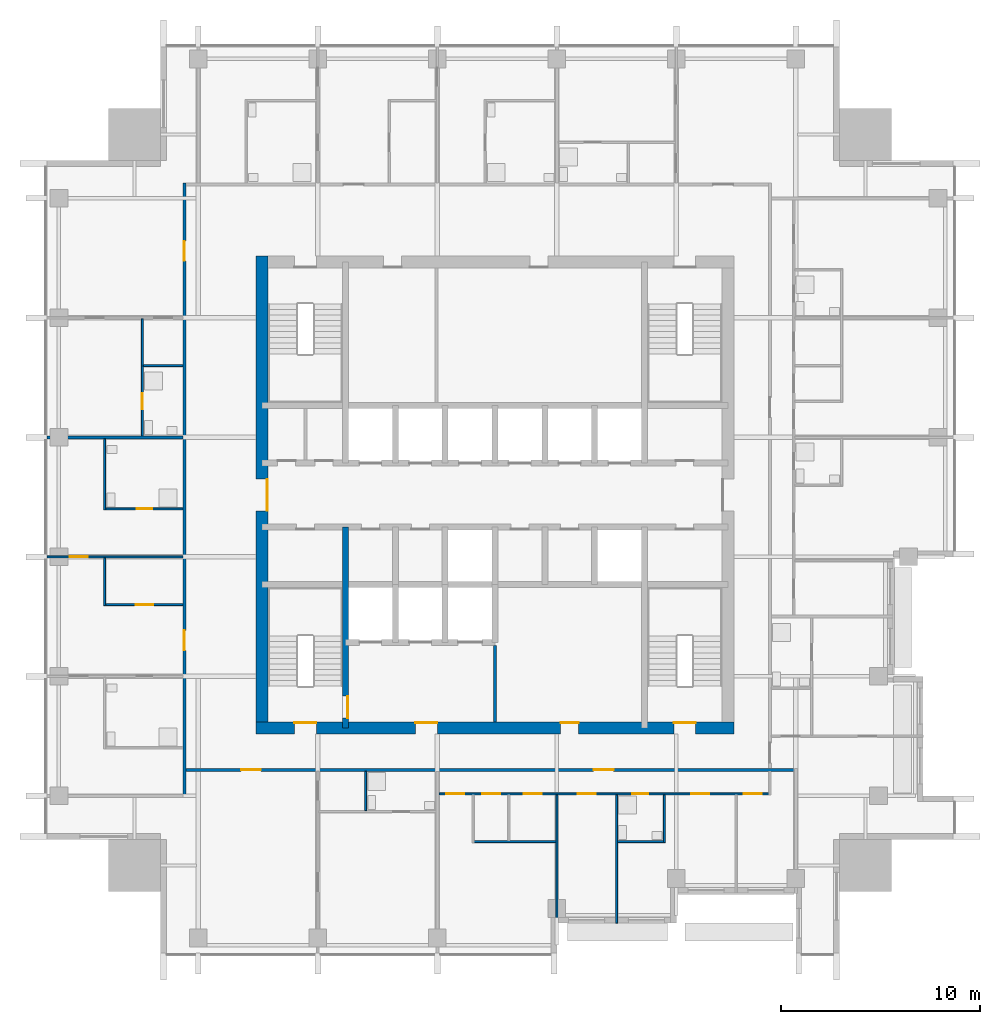
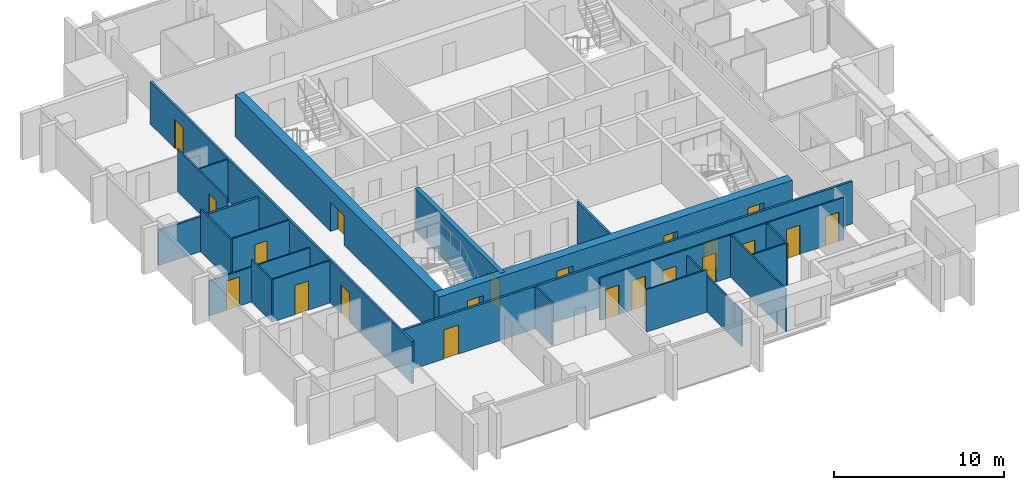
# One storey, part 4 of 10: 21 doors, 21 walls, 21 openings.
"""IFC4 building model written with IfcOpenShell, lengths in metres."""

from ifc_helpers import new_model, si_unit, direction, frame, frame_2d, origin, place, context, subcontext, project, spatial, rectangle, extrude, material, layer, layer_set, type_object, element, fill, save


model = new_model("IFC4")

# Units and contexts
model_context = context("Model", 3, precision=1e-05, world=origin(), true_north=direction((0.0, 1.0)))
body_context = subcontext(model_context, "Body", "Model", "MODEL_VIEW")
ifc_project = project(units=[si_unit("LENGTHUNIT", "METRE"), si_unit("AREAUNIT", "SQUARE_METRE"), si_unit("VOLUMEUNIT", "CUBIC_METRE"), si_unit("PLANEANGLEUNIT", "RADIAN"), si_unit("MASSUNIT", "GRAM", prefix="KILO")], contexts=[model_context])

# Site, building, storey
site_placement = place(None, origin())
site = spatial("IfcSite", under=ifc_project, at=site_placement, CompositionType="ELEMENT")
building_placement = place(site_placement, origin())
building = spatial("IfcBuilding", under=site, at=building_placement, Name="Amberfall Residences", CompositionType="ELEMENT")
storey_placement = place(building_placement, frame((0.0, 0.0, 203.5)))
storey = spatial("IfcBuildingStorey", under=building, at=storey_placement, Name="L54", CompositionType="ELEMENT", Elevation=203.5)

# Wall, opening, door
ifc_material_1 = material(Name="Concrete C55", Category="concrete")
ifc_layer_1 = layer(ifc_material_1, 0.300048828125)
ifc_layer_set_1 = layer_set([ifc_layer_1], Name="Core wall 300 C55")
wall_type_1 = type_object("IfcWallType", Name="Core wall 300 C55", PredefinedType="SHEAR", material=ifc_layer_set_1)
wall_1_placement = place(storey_placement, frame((67.0, 33.800048828125, 0.0), z_axis=(0.0, 0.0, 1.0), x_axis=(0.0, 1.0, 0.0)))
wall_1 = element("IfcWall", 1, at=wall_1_placement, inside=storey, type_object=wall_type_1, Name="Core wall RW8 L54 V45S", PredefinedType="SHEAR", context=body_context, shape_type="SweptSolid", body=[
    extrude(rectangle(XDim=10.099853515625, YDim=0.300048828125, at=frame_2d((5.0498046875, 0.0))), origin(), (0.0, 0.0, 1.0), 3.050048828125),
])
opening_1_placement = place(wall_1_placement, frame((0.5, 0.0, 0.0)))
opening_1 = element("IfcOpeningElement", 2, at=opening_1_placement, cuts=wall_1, Name="Opening FL1", PredefinedType="OPENING", context=body_context, shape_type="SweptSolid", body=[
    extrude(rectangle(XDim=1.10009765625, YDim=2.10009765625, at=frame_2d((0.550048828125, 1.050048828125))), frame((0.0, 0.159912109375, 0.0), z_axis=(0.0, -1.0, 0.0), x_axis=(1.0, 0.0, 0.0)), (0.0, 0.0, 1.0), 0.320068359375),
])
ifc_material_2 = material(Name="Steel fire door set", Category="steel")
door_type_1 = type_object("IfcDoorType", Name="Firefighting lobby door 1100 x 2100", OperationType="SINGLE_SWING_LEFT", PredefinedType="DOOR", material=ifc_material_2)
door_1_placement = place(opening_1_placement, origin())
door_1 = element("IfcDoor", 3, at=door_1_placement, inside=storey, type_object=door_type_1, Name="FL1 L54", OperationType="SINGLE_SWING_RIGHT", OverallHeight=2.10009765625, OverallWidth=1.10009765625, PredefinedType="DOOR", context=body_context, shape_type="SweptSolid", body=[
    extrude(rectangle(XDim=1.10009765625, YDim=2.10009765625, at=frame_2d((0.550048828125, 1.050048828125))), frame((0.0, -0.08740234375, 0.0), z_axis=(0.0, -1.0, 0.0), x_axis=(1.0, 0.0, 0.0)), (0.0, 0.0, 1.0), 0.050048828125),
])
fill(opening_1, door_1)

# Wall, openings, doors
ifc_layer_2 = layer(ifc_material_1, 0.60009765625)
ifc_layer_set_2 = layer_set([ifc_layer_2], Name="Core wall 600 C55")
wall_type_2 = type_object("IfcWallType", Name="Core wall 600 C55", PredefinedType="SHEAR", material=ifc_layer_set_2)
wall_2_placement = place(storey_placement, frame((62.5, 33.800048828125, 0.0), z_axis=(0.0, 0.0, 1.0), x_axis=(1.0, 0.0, 0.0)))
wall_2 = element("IfcWall", 4, at=wall_2_placement, inside=storey, type_object=wall_type_2, Name="Core wall RW7 L54 OS", PredefinedType="SHEAR", context=body_context, shape_type="SweptSolid", body=[
    extrude(rectangle(XDim=24.0, YDim=0.60009765625, at=frame_2d((12.0, 0.0))), origin(), (0.0, 0.0, 1.0), 3.050048828125),
])
opening_2_placement = place(wall_2_placement, frame((1.925048828125, 0.0, 0.0)))
opening_2 = element("IfcOpeningElement", 5, at=opening_2_placement, cuts=wall_2, Name="Opening SD1", PredefinedType="OPENING", context=body_context, shape_type="SweptSolid", body=[
    extrude(rectangle(XDim=1.10009765625, YDim=2.10009765625, at=frame_2d((0.550048828125, 1.050048828125))), frame((0.0, 0.31005859375, 0.0), z_axis=(0.0, -1.0, 0.0), x_axis=(1.0, 0.0, 0.0)), (0.0, 0.0, 1.0), 0.6201171875),
])
opening_3_placement = place(wall_2_placement, frame((20.97509765625, 0.0, 0.0)))
opening_3 = element("IfcOpeningElement", 6, at=opening_3_placement, cuts=wall_2, Name="Opening SD1", PredefinedType="OPENING", context=body_context, shape_type="SweptSolid", body=[
    extrude(rectangle(XDim=1.10009765625, YDim=2.10009765625, at=frame_2d((0.550048828125, 1.050048828125))), frame((0.0, 0.31005859375, 0.0), z_axis=(0.0, -1.0, 0.0), x_axis=(1.0, 0.0, 0.0)), (0.0, 0.0, 1.0), 0.6201171875),
])
opening_4_placement = place(wall_2_placement, frame((8.0, 0.0, 0.0)))
opening_4 = element("IfcOpeningElement", 7, at=opening_4_placement, cuts=wall_2, Name="Opening FL1", PredefinedType="OPENING", context=body_context, shape_type="SweptSolid", body=[
    extrude(rectangle(XDim=1.10009765625, YDim=2.10009765625, at=frame_2d((0.550048828125, 1.050048828125))), frame((0.0, 0.31005859375, 0.0), z_axis=(0.0, -1.0, 0.0), x_axis=(1.0, 0.0, 0.0)), (0.0, 0.0, 1.0), 0.6201171875),
])
opening_5_placement = place(wall_2_placement, frame((15.300048828125, 0.0, 0.0)))
opening_5 = element("IfcOpeningElement", 8, at=opening_5_placement, cuts=wall_2, Name="Opening RD1", PredefinedType="OPENING", context=body_context, shape_type="SweptSolid", body=[
    extrude(rectangle(XDim=0.89990234375, YDim=2.10009765625, at=frame_2d((0.449951171875, 1.050048828125))), frame((0.0, 0.31005859375, 0.0), z_axis=(0.0, -1.0, 0.0), x_axis=(1.0, 0.0, 0.0)), (0.0, 0.0, 1.0), 0.6201171875),
])
door_2_placement = place(opening_4_placement, origin())
door_2 = element("IfcDoor", 9, at=door_2_placement, inside=storey, type_object=door_type_1, Name="FL1 L54", OperationType="SINGLE_SWING_LEFT", OverallHeight=2.10009765625, OverallWidth=1.10009765625, PredefinedType="DOOR", context=body_context, shape_type="SweptSolid", body=[
    extrude(rectangle(XDim=1.10009765625, YDim=2.10009765625, at=frame_2d((0.550048828125, 1.050048828125))), frame((0.0, 0.28759765625, 0.0), z_axis=(0.0, -1.0, 0.0), x_axis=(1.0, 0.0, 0.0)), (0.0, 0.0, 1.0), 0.050048828125),
])
fill(opening_4, door_2)
door_type_2 = type_object("IfcDoorType", Name="Service room door 900 x 2100", OperationType="SINGLE_SWING_LEFT", PredefinedType="DOOR", material=ifc_material_2)
door_3_placement = place(opening_5_placement, origin())
door_3 = element("IfcDoor", 10, at=door_3_placement, inside=storey, type_object=door_type_2, Name="RD1 L54", OperationType="SINGLE_SWING_LEFT", OverallHeight=2.10009765625, OverallWidth=0.89990234375, PredefinedType="DOOR", context=body_context, shape_type="SweptSolid", body=[
    extrude(rectangle(XDim=0.89990234375, YDim=2.10009765625, at=frame_2d((0.449951171875, 1.050048828125))), frame((0.0, 0.28759765625, 0.0), z_axis=(0.0, -1.0, 0.0), x_axis=(1.0, 0.0, 0.0)), (0.0, 0.0, 1.0), 0.050048828125),
])
fill(opening_5, door_3)
door_type_3 = type_object("IfcDoorType", Name="Stair door 1100 x 2100", OperationType="SINGLE_SWING_LEFT", PredefinedType="DOOR", material=ifc_material_2)
door_4_placement = place(opening_2_placement, origin())
door_4 = element("IfcDoor", 11, at=door_4_placement, inside=storey, type_object=door_type_3, Name="SD1 L54", OperationType="SINGLE_SWING_LEFT", OverallHeight=2.10009765625, OverallWidth=1.10009765625, PredefinedType="DOOR", context=body_context, shape_type="SweptSolid", body=[
    extrude(rectangle(XDim=1.10009765625, YDim=2.10009765625, at=frame_2d((0.550048828125, 1.050048828125))), frame((0.0, 0.28759765625, 0.0), z_axis=(0.0, -1.0, 0.0), x_axis=(1.0, 0.0, 0.0)), (0.0, 0.0, 1.0), 0.050048828125),
])
fill(opening_2, door_4)
door_5_placement = place(opening_3_placement, origin())
door_5 = element("IfcDoor", 12, at=door_5_placement, inside=storey, type_object=door_type_3, Name="SD1 L54", OperationType="SINGLE_SWING_RIGHT", OverallHeight=2.10009765625, OverallWidth=1.10009765625, PredefinedType="DOOR", context=body_context, shape_type="SweptSolid", body=[
    extrude(rectangle(XDim=1.10009765625, YDim=2.10009765625, at=frame_2d((0.550048828125, 1.050048828125))), frame((0.0, 0.28759765625, 0.0), z_axis=(0.0, -1.0, 0.0), x_axis=(1.0, 0.0, 0.0)), (0.0, 0.0, 1.0), 0.050048828125),
])
fill(opening_3, door_5)

# Wall, opening, door
wall_3_placement = place(storey_placement, frame((62.800048828125, 33.5, 0.0), z_axis=(0.0, 0.0, 1.0), x_axis=(0.0, 1.0, 0.0)))
wall_3 = element("IfcWall", 13, at=wall_3_placement, inside=storey, type_object=wall_type_2, Name="Core wall RW7 L54 OW", PredefinedType="SHEAR", context=body_context, shape_type="SweptSolid", body=[
    extrude(rectangle(XDim=24.0, YDim=0.60009765625, at=frame_2d((12.0, 0.0))), origin(), (0.0, 0.0, 1.0), 3.050048828125),
])
opening_6_placement = place(wall_3_placement, frame((11.199951171875, 0.0, 0.0)))
opening_6 = element("IfcOpeningElement", 14, at=opening_6_placement, cuts=wall_3, Name="Opening LB1", PredefinedType="OPENING", context=body_context, shape_type="SweptSolid", body=[
    extrude(rectangle(XDim=1.60009765625, YDim=2.10009765625, at=frame_2d((0.800048828125, 1.050048828125))), frame((0.0, 0.31005859375, 0.0), z_axis=(0.0, -1.0, 0.0), x_axis=(1.0, 0.0, 0.0)), (0.0, 0.0, 1.0), 0.6201171875),
])
door_type_4 = type_object("IfcDoorType", Name="Lift lobby double door 1600 x 2100", OperationType="DOUBLE_DOOR_SINGLE_SWING", PredefinedType="DOOR", material=ifc_material_2)
door_6_placement = place(opening_6_placement, origin())
door_6 = element("IfcDoor", 15, at=door_6_placement, inside=storey, type_object=door_type_4, Name="LB1 L54", OperationType="DOUBLE_DOOR_SINGLE_SWING", OverallHeight=2.10009765625, OverallWidth=1.60009765625, PredefinedType="DOOR", context=body_context, shape_type="SweptSolid", body=[
    extrude(rectangle(XDim=1.60009765625, YDim=2.10009765625, at=frame_2d((0.800048828125, 1.050048828125))), frame((0.0, -0.2373046875, 0.0), z_axis=(0.0, -1.0, 0.0), x_axis=(1.0, 0.0, 0.0)), (0.0, 0.0, 1.0), 0.050048828125),
])
fill(opening_6, door_6)

# Walls
ifc_material_3 = material(Name="Gypsum board on metal stud")
ifc_layer_3 = layer(ifc_material_3, 0.10009765625)
ifc_layer_set_3 = layer_set([ifc_layer_3], Name="Flat partition 100")
wall_type_3 = type_object("IfcWallType", Name="Flat partition 100", PredefinedType="PARTITIONING", material=ifc_layer_set_3)
wall_4_placement = place(storey_placement, frame((54.89990234375, 39.949951171875, 0.0), z_axis=(0.0, 0.0, 1.0), x_axis=(0.0, 1.0, 0.0)))
element("IfcWall", 16, at=wall_4_placement, inside=storey, type_object=wall_type_3, Name="Partition 002", PredefinedType="PARTITIONING", context=body_context, shape_type="SweptSolid", body=[
    extrude(rectangle(XDim=2.400146484375, YDim=0.10009765625, at=frame_2d((1.2001953125, 0.0))), origin(), (0.0, 0.0, 1.0), 3.050048828125),
])
wall_5_placement = place(storey_placement, frame((54.89990234375, 44.75, 0.0), z_axis=(0.0, 0.0, 1.0), x_axis=(0.0, 1.0, 0.0)))
element("IfcWall", 17, at=wall_5_placement, inside=storey, type_object=wall_type_3, Name="Partition 003", PredefinedType="PARTITIONING", context=body_context, shape_type="SweptSolid", body=[
    extrude(rectangle(XDim=3.574951171875, YDim=0.10009765625, at=frame_2d((1.78759765625, 0.0))), origin(), (0.0, 0.0, 1.0), 3.050048828125),
])

# Wall, opening, door
wall_6_placement = place(storey_placement, frame((56.800048828125, 54.35009765625, 0.0), z_axis=(0.0, 0.0, 1.0), x_axis=(0.0, -1.0, 0.0)))
wall_6 = element("IfcWall", 18, at=wall_6_placement, inside=storey, type_object=wall_type_3, Name="Partition 004", PredefinedType="PARTITIONING", context=body_context, shape_type="SweptSolid", body=[
    extrude(rectangle(XDim=5.875, YDim=0.10009765625, at=frame_2d((2.9375, 0.0))), origin(), (0.0, 0.0, 1.0), 3.050048828125),
])
opening_7_placement = place(wall_6_placement, frame((3.75, 0.0, 0.0)))
opening_7 = element("IfcOpeningElement", 19, at=opening_7_placement, cuts=wall_6, Name="Opening D42", PredefinedType="OPENING", context=body_context, shape_type="SweptSolid", body=[
    extrude(rectangle(XDim=0.800048828125, YDim=2.10009765625, at=frame_2d((0.39990234375, 1.050048828125))), frame((0.0, 0.06005859375, 0.0), z_axis=(0.0, -1.0, 0.0), x_axis=(1.0, 0.0, 0.0)), (0.0, 0.0, 1.0), 0.1201171875),
])
ifc_material_4 = material(Name="Timber", Category="wood")
door_type_5 = type_object("IfcDoorType", Name="Bathroom door 800 x 2100", OperationType="SINGLE_SWING_LEFT", PredefinedType="DOOR", material=ifc_material_4)
door_7_placement = place(opening_7_placement, origin())
door_7 = element("IfcDoor", 20, at=door_7_placement, inside=storey, type_object=door_type_5, Name="Door 5408 bath1", OperationType="SINGLE_SWING_LEFT", OverallHeight=2.10009765625, OverallWidth=0.800048828125, PredefinedType="DOOR", context=body_context, shape_type="SweptSolid", body=[
    extrude(rectangle(XDim=0.800048828125, YDim=2.10009765625, at=frame_2d((0.39990234375, 1.050048828125))), frame((0.0, 0.02490234375, 0.0), z_axis=(0.0, -1.0, 0.0), x_axis=(1.0, 0.0, 0.0)), (0.0, 0.0, 1.0), 0.050048828125),
])
fill(opening_7, door_7)

# Walls
wall_7_placement = place(storey_placement, frame((68.0, 29.64990234375, 0.0), z_axis=(0.0, 0.0, 1.0), x_axis=(0.0, 1.0, 0.0)))
element("IfcWall", 21, at=wall_7_placement, inside=storey, type_object=wall_type_3, Name="Partition 008", PredefinedType="PARTITIONING", context=body_context, shape_type="SweptSolid", body=[
    extrude(rectangle(XDim=1.97509765625, YDim=0.10009765625, at=frame_2d((0.987548828125, 0.0))), origin(), (0.0, 0.0, 1.0), 3.050048828125),
])
wall_8_placement = place(storey_placement, frame((77.60009765625, 24.0, 0.0), z_axis=(0.0, 0.0, 1.0), x_axis=(0.0, 1.0, 0.0)))
element("IfcWall", 22, at=wall_8_placement, inside=storey, type_object=wall_type_3, Name="Partition 014", PredefinedType="PARTITIONING", context=body_context, shape_type="SweptSolid", body=[
    extrude(rectangle(XDim=6.449951171875, YDim=0.10009765625, at=frame_2d((3.22509765625, 0.0))), origin(), (0.0, 0.0, 1.0), 2.590087890625),
])
wall_9_placement = place(storey_placement, frame((80.60009765625, 24.0, 0.0), z_axis=(0.0, 0.0, 1.0), x_axis=(0.0, 1.0, 0.0)))
element("IfcWall", 23, at=wall_9_placement, inside=storey, type_object=wall_type_3, Name="Partition 015", PredefinedType="PARTITIONING", context=body_context, shape_type="SweptSolid", body=[
    extrude(rectangle(XDim=6.449951171875, YDim=0.10009765625, at=frame_2d((3.22509765625, 0.0))), origin(), (0.0, 0.0, 1.0), 3.050048828125),
])
wall_10_placement = place(storey_placement, frame((83.0, 28.050048828125, 0.0), z_axis=(0.0, 0.0, 1.0), x_axis=(0.0, 1.0, 0.0)))
element("IfcWall", 24, at=wall_10_placement, inside=storey, type_object=wall_type_3, Name="Partition 017", PredefinedType="PARTITIONING", context=body_context, shape_type="SweptSolid", body=[
    extrude(rectangle(XDim=2.39990234375, YDim=0.10009765625, at=frame_2d((1.199951171875, 0.0))), origin(), (0.0, 0.0, 1.0), 3.050048828125),
])
wall_11_placement = place(storey_placement, frame((56.85009765625, 52.0, 0.0), z_axis=(0.0, 0.0, 1.0), x_axis=(1.0, 0.0, 0.0)))
element("IfcWall", 25, at=wall_11_placement, inside=storey, type_object=wall_type_3, Name="Partition 032", PredefinedType="PARTITIONING", context=body_context, shape_type="SweptSolid", body=[
    extrude(rectangle(XDim=1.974853515625, YDim=0.10009765625, at=frame_2d((0.9873046875, 0.0))), origin(), (0.0, 0.0, 1.0), 3.050048828125),
])

# Wall, opening, door
wall_12_placement = place(storey_placement, frame((54.949951171875, 44.800048828125, 0.0), z_axis=(0.0, 0.0, 1.0), x_axis=(1.0, 0.0, 0.0)))
wall_12 = element("IfcWall", 26, at=wall_12_placement, inside=storey, type_object=wall_type_3, Name="Partition 037", PredefinedType="PARTITIONING", context=body_context, shape_type="SweptSolid", body=[
    extrude(rectangle(XDim=3.875, YDim=0.10009765625, at=frame_2d((1.9375, 0.0))), origin(), (0.0, 0.0, 1.0), 3.050048828125),
])
opening_8_placement = place(wall_12_placement, frame((1.550048828125, 0.0, 0.0)))
opening_8 = element("IfcOpeningElement", 27, at=opening_8_placement, cuts=wall_12, Name="Opening D42", PredefinedType="OPENING", context=body_context, shape_type="SweptSolid", body=[
    extrude(rectangle(XDim=0.800048828125, YDim=2.10009765625, at=frame_2d((0.39990234375, 1.050048828125))), frame((0.0, 0.06005859375, 0.0), z_axis=(0.0, -1.0, 0.0), x_axis=(1.0, 0.0, 0.0)), (0.0, 0.0, 1.0), 0.1201171875),
])
door_8_placement = place(opening_8_placement, origin())
door_8 = element("IfcDoor", 28, at=door_8_placement, inside=storey, type_object=door_type_5, Name="Door 5407 bath2", OperationType="SINGLE_SWING_LEFT", OverallHeight=2.10009765625, OverallWidth=0.800048828125, PredefinedType="DOOR", context=body_context, shape_type="SweptSolid", body=[
    extrude(rectangle(XDim=0.800048828125, YDim=2.10009765625, at=frame_2d((0.39990234375, 1.050048828125))), frame((0.0, 0.02490234375, 0.0), z_axis=(0.0, -1.0, 0.0), x_axis=(1.0, 0.0, 0.0)), (0.0, 0.0, 1.0), 0.050048828125),
])
fill(opening_8, door_8)

wall_13_placement = place(storey_placement, frame((52.0, 42.39990234375, 0.0), z_axis=(0.0, 0.0, 1.0), x_axis=(1.0, 0.0, 0.0)))
wall_13 = element("IfcWall", 29, at=wall_13_placement, inside=storey, type_object=wall_type_3, Name="Partition 038", PredefinedType="PARTITIONING", context=body_context, shape_type="SweptSolid", body=[
    extrude(rectangle(XDim=6.824951171875, YDim=0.10009765625, at=frame_2d((3.41259765625, 0.0))), origin(), (0.0, 0.0, 1.0), 2.51611328125),
])
opening_9_placement = place(wall_13_placement, frame((1.14990234375, 0.0, 0.0)))
opening_9 = element("IfcOpeningElement", 30, at=opening_9_placement, cuts=wall_13, Name="Opening D41", PredefinedType="OPENING", context=body_context, shape_type="SweptSolid", body=[
    extrude(rectangle(XDim=0.89990234375, YDim=2.10009765625, at=frame_2d((0.449951171875, 1.050048828125))), frame((0.0, 0.06005859375, 0.0), z_axis=(0.0, -1.0, 0.0), x_axis=(1.0, 0.0, 0.0)), (0.0, 0.0, 1.0), 0.1201171875),
])
door_type_6 = type_object("IfcDoorType", Name="Internal door 900 x 2100", OperationType="SINGLE_SWING_LEFT", PredefinedType="DOOR", material=ifc_material_4)
door_9_placement = place(opening_9_placement, origin())
door_9 = element("IfcDoor", 31, at=door_9_placement, inside=storey, type_object=door_type_6, Name="Door 5407 bedroom2", OperationType="SINGLE_SWING_LEFT", OverallHeight=2.10009765625, OverallWidth=0.89990234375, PredefinedType="DOOR", context=body_context, shape_type="SweptSolid", body=[
    extrude(rectangle(XDim=0.89990234375, YDim=2.10009765625, at=frame_2d((0.449951171875, 1.050048828125))), frame((0.0, 0.02490234375, 0.0), z_axis=(0.0, -1.0, 0.0), x_axis=(1.0, 0.0, 0.0)), (0.0, 0.0, 1.0), 0.050048828125),
])
fill(opening_9, door_9)

wall_14_placement = place(storey_placement, frame((54.949951171875, 40.0, 0.0), z_axis=(0.0, 0.0, 1.0), x_axis=(1.0, 0.0, 0.0)))
wall_14 = element("IfcWall", 32, at=wall_14_placement, inside=storey, type_object=wall_type_3, Name="Partition 040", PredefinedType="PARTITIONING", context=body_context, shape_type="SweptSolid", body=[
    extrude(rectangle(XDim=3.875, YDim=0.10009765625, at=frame_2d((1.9375, 0.0))), origin(), (0.0, 0.0, 1.0), 3.050048828125),
])
opening_10_placement = place(wall_14_placement, frame((1.5, 0.0, 0.0)))
opening_10 = element("IfcOpeningElement", 33, at=opening_10_placement, cuts=wall_14, Name="Opening D41", PredefinedType="OPENING", context=body_context, shape_type="SweptSolid", body=[
    extrude(rectangle(XDim=0.89990234375, YDim=2.10009765625, at=frame_2d((0.449951171875, 1.050048828125))), frame((0.0, 0.06005859375, 0.0), z_axis=(0.0, -1.0, 0.0), x_axis=(1.0, 0.0, 0.0)), (0.0, 0.0, 1.0), 0.1201171875),
])
door_10_placement = place(opening_10_placement, origin())
door_10 = element("IfcDoor", 34, at=door_10_placement, inside=storey, type_object=door_type_6, Name="Door 5407 kitchen", OperationType="SINGLE_SWING_LEFT", OverallHeight=2.10009765625, OverallWidth=0.89990234375, PredefinedType="DOOR", context=body_context, shape_type="SweptSolid", body=[
    extrude(rectangle(XDim=0.89990234375, YDim=2.10009765625, at=frame_2d((0.449951171875, 1.050048828125))), frame((0.0, 0.02490234375, 0.0), z_axis=(0.0, -1.0, 0.0), x_axis=(1.0, 0.0, 0.0)), (0.0, 0.0, 1.0), 0.050048828125),
])
fill(opening_10, door_10)

# Wall, openings, doors
wall_15_placement = place(storey_placement, frame((88.25, 30.5, 0.0), z_axis=(0.0, 0.0, 1.0), x_axis=(-1.0, 0.0, 0.0)))
wall_15 = element("IfcWall", 35, at=wall_15_placement, inside=storey, type_object=wall_type_3, Name="Partition 045", PredefinedType="PARTITIONING", context=body_context, shape_type="SweptSolid", body=[
    extrude(rectangle(XDim=16.574951171875, YDim=0.10009765625, at=frame_2d((8.28759765625, 0.0))), origin(), (0.0, 0.0, 1.0), 3.050048828125),
])
opening_11_placement = place(wall_15_placement, frame((15.300048828125, 0.0, 0.0)))
opening_11 = element("IfcOpeningElement", 36, at=opening_11_placement, cuts=wall_15, Name="Opening D41", PredefinedType="OPENING", context=body_context, shape_type="SweptSolid", body=[
    extrude(rectangle(XDim=0.89990234375, YDim=2.10009765625, at=frame_2d((0.449951171875, 1.050048828125))), frame((0.0, 0.06005859375, 0.0), z_axis=(0.0, -1.0, 0.0), x_axis=(1.0, 0.0, 0.0)), (0.0, 0.0, 1.0), 0.1201171875),
])
opening_12_placement = place(wall_15_placement, frame((11.39990234375, 0.0, 0.0)))
opening_12 = element("IfcOpeningElement", 37, at=opening_12_placement, cuts=wall_15, Name="Opening D41", PredefinedType="OPENING", context=body_context, shape_type="SweptSolid", body=[
    extrude(rectangle(XDim=0.89990234375, YDim=2.10009765625, at=frame_2d((0.449951171875, 1.050048828125))), frame((0.0, 0.06005859375, 0.0), z_axis=(0.0, -1.0, 0.0), x_axis=(1.0, 0.0, 0.0)), (0.0, 0.0, 1.0), 0.1201171875),
])
opening_13_placement = place(wall_15_placement, frame((13.5, 0.0, 0.0)))
opening_13 = element("IfcOpeningElement", 38, at=opening_13_placement, cuts=wall_15, Name="Opening D41", PredefinedType="OPENING", context=body_context, shape_type="SweptSolid", body=[
    extrude(rectangle(XDim=0.89990234375, YDim=2.10009765625, at=frame_2d((0.449951171875, 1.050048828125))), frame((0.0, 0.06005859375, 0.0), z_axis=(0.0, -1.0, 0.0), x_axis=(1.0, 0.0, 0.0)), (0.0, 0.0, 1.0), 0.1201171875),
])
opening_14_placement = place(wall_15_placement, frame((8.699951171875, 0.0, 0.0)))
opening_14 = element("IfcOpeningElement", 39, at=opening_14_placement, cuts=wall_15, Name="Opening D41", PredefinedType="OPENING", context=body_context, shape_type="SweptSolid", body=[
    extrude(rectangle(XDim=0.89990234375, YDim=2.10009765625, at=frame_2d((0.449951171875, 1.050048828125))), frame((0.0, 0.06005859375, 0.0), z_axis=(0.0, -1.0, 0.0), x_axis=(1.0, 0.0, 0.0)), (0.0, 0.0, 1.0), 0.1201171875),
])
opening_15_placement = place(wall_15_placement, frame((3.0, 0.0, 0.0)))
opening_15 = element("IfcOpeningElement", 40, at=opening_15_placement, cuts=wall_15, Name="Opening D41", PredefinedType="OPENING", context=body_context, shape_type="SweptSolid", body=[
    extrude(rectangle(XDim=0.89990234375, YDim=2.10009765625, at=frame_2d((0.449951171875, 1.050048828125))), frame((0.0, 0.06005859375, 0.0), z_axis=(0.0, -1.0, 0.0), x_axis=(1.0, 0.0, 0.0)), (0.0, 0.0, 1.0), 0.1201171875),
])
opening_16_placement = place(wall_15_placement, frame((0.35009765625, 0.0, 0.0)))
opening_16 = element("IfcOpeningElement", 41, at=opening_16_placement, cuts=wall_15, Name="Opening D41", PredefinedType="OPENING", context=body_context, shape_type="SweptSolid", body=[
    extrude(rectangle(XDim=0.89990234375, YDim=2.10009765625, at=frame_2d((0.449951171875, 1.050048828125))), frame((0.0, 0.06005859375, 0.0), z_axis=(0.0, -1.0, 0.0), x_axis=(1.0, 0.0, 0.0)), (0.0, 0.0, 1.0), 0.1201171875),
])
opening_17_placement = place(wall_15_placement, frame((6.050048828125, 0.0, 0.0)))
opening_17 = element("IfcOpeningElement", 42, at=opening_17_placement, cuts=wall_15, Name="Opening D42", PredefinedType="OPENING", context=body_context, shape_type="SweptSolid", body=[
    extrude(rectangle(XDim=0.800048828125, YDim=2.10009765625, at=frame_2d((0.39990234375, 1.050048828125))), frame((0.0, 0.06005859375, 0.0), z_axis=(0.0, -1.0, 0.0), x_axis=(1.0, 0.0, 0.0)), (0.0, 0.0, 1.0), 0.1201171875),
])
door_11_placement = place(opening_17_placement, origin())
door_11 = element("IfcDoor", 43, at=door_11_placement, inside=storey, type_object=door_type_5, Name="Door 5402 bath1", OperationType="SINGLE_SWING_LEFT", OverallHeight=2.10009765625, OverallWidth=0.800048828125, PredefinedType="DOOR", context=body_context, shape_type="SweptSolid", body=[
    extrude(rectangle(XDim=0.800048828125, YDim=2.10009765625, at=frame_2d((0.39990234375, 1.050048828125))), frame((0.0, 0.02490234375, 0.0), z_axis=(0.0, -1.0, 0.0), x_axis=(1.0, 0.0, 0.0)), (0.0, 0.0, 1.0), 0.050048828125),
])
fill(opening_17, door_11)
door_12_placement = place(opening_11_placement, origin())
door_12 = element("IfcDoor", 44, at=door_12_placement, inside=storey, type_object=door_type_6, Name="Door 5402 living", OperationType="SINGLE_SWING_LEFT", OverallHeight=2.10009765625, OverallWidth=0.89990234375, PredefinedType="DOOR", context=body_context, shape_type="SweptSolid", body=[
    extrude(rectangle(XDim=0.89990234375, YDim=2.10009765625, at=frame_2d((0.449951171875, 1.050048828125))), frame((0.0, 0.02490234375, 0.0), z_axis=(0.0, -1.0, 0.0), x_axis=(1.0, 0.0, 0.0)), (0.0, 0.0, 1.0), 0.050048828125),
])
fill(opening_11, door_12)
door_13_placement = place(opening_12_placement, origin())
door_13 = element("IfcDoor", 45, at=door_13_placement, inside=storey, type_object=door_type_6, Name="Door 5402 kitchen", OperationType="SINGLE_SWING_LEFT", OverallHeight=2.10009765625, OverallWidth=0.89990234375, PredefinedType="DOOR", context=body_context, shape_type="SweptSolid", body=[
    extrude(rectangle(XDim=0.89990234375, YDim=2.10009765625, at=frame_2d((0.449951171875, 1.050048828125))), frame((0.0, 0.02490234375, 0.0), z_axis=(0.0, -1.0, 0.0), x_axis=(1.0, 0.0, 0.0)), (0.0, 0.0, 1.0), 0.050048828125),
])
fill(opening_12, door_13)
door_14_placement = place(opening_13_placement, origin())
door_14 = element("IfcDoor", 46, at=door_14_placement, inside=storey, type_object=door_type_6, Name="Door 5402 utility", OperationType="SINGLE_SWING_LEFT", OverallHeight=2.10009765625, OverallWidth=0.89990234375, PredefinedType="DOOR", context=body_context, shape_type="SweptSolid", body=[
    extrude(rectangle(XDim=0.89990234375, YDim=2.10009765625, at=frame_2d((0.449951171875, 1.050048828125))), frame((0.0, 0.02490234375, 0.0), z_axis=(0.0, -1.0, 0.0), x_axis=(1.0, 0.0, 0.0)), (0.0, 0.0, 1.0), 0.050048828125),
])
fill(opening_13, door_14)
door_15_placement = place(opening_14_placement, origin())
door_15 = element("IfcDoor", 47, at=door_15_placement, inside=storey, type_object=door_type_6, Name="Door 5402 bedroom1", OperationType="SINGLE_SWING_LEFT", OverallHeight=2.10009765625, OverallWidth=0.89990234375, PredefinedType="DOOR", context=body_context, shape_type="SweptSolid", body=[
    extrude(rectangle(XDim=0.89990234375, YDim=2.10009765625, at=frame_2d((0.449951171875, 1.050048828125))), frame((0.0, 0.02490234375, 0.0), z_axis=(0.0, -1.0, 0.0), x_axis=(1.0, 0.0, 0.0)), (0.0, 0.0, 1.0), 0.050048828125),
])
fill(opening_14, door_15)
door_16_placement = place(opening_15_placement, origin())
door_16 = element("IfcDoor", 48, at=door_16_placement, inside=storey, type_object=door_type_6, Name="Door 5402 bedroom2", OperationType="SINGLE_SWING_LEFT", OverallHeight=2.10009765625, OverallWidth=0.89990234375, PredefinedType="DOOR", context=body_context, shape_type="SweptSolid", body=[
    extrude(rectangle(XDim=0.89990234375, YDim=2.10009765625, at=frame_2d((0.449951171875, 1.050048828125))), frame((0.0, 0.02490234375, 0.0), z_axis=(0.0, -1.0, 0.0), x_axis=(1.0, 0.0, 0.0)), (0.0, 0.0, 1.0), 0.050048828125),
])
fill(opening_15, door_16)
door_17_placement = place(opening_16_placement, origin())
door_17 = element("IfcDoor", 49, at=door_17_placement, inside=storey, type_object=door_type_6, Name="Door 5402 bedroom3", OperationType="SINGLE_SWING_LEFT", OverallHeight=2.10009765625, OverallWidth=0.89990234375, PredefinedType="DOOR", context=body_context, shape_type="SweptSolid", body=[
    extrude(rectangle(XDim=0.89990234375, YDim=2.10009765625, at=frame_2d((0.449951171875, 1.050048828125))), frame((0.0, 0.02490234375, 0.0), z_axis=(0.0, -1.0, 0.0), x_axis=(1.0, 0.0, 0.0)), (0.0, 0.0, 1.0), 0.050048828125),
])
fill(opening_16, door_17)

# Walls
wall_16_placement = place(storey_placement, frame((73.449951171875, 28.10009765625, 0.0), z_axis=(0.0, 0.0, 1.0), x_axis=(1.0, 0.0, 0.0)))
element("IfcWall", 50, at=wall_16_placement, inside=storey, type_object=wall_type_3, Name="Partition 047", PredefinedType="PARTITIONING", context=body_context, shape_type="SweptSolid", body=[
    extrude(rectangle(XDim=4.10009765625, YDim=0.10009765625, at=frame_2d((2.050048828125, 0.0))), origin(), (0.0, 0.0, 1.0), 3.050048828125),
])
wall_17_placement = place(storey_placement, frame((80.64990234375, 28.10009765625, 0.0), z_axis=(0.0, 0.0, 1.0), x_axis=(1.0, 0.0, 0.0)))
element("IfcWall", 51, at=wall_17_placement, inside=storey, type_object=wall_type_3, Name="Partition 048", PredefinedType="PARTITIONING", context=body_context, shape_type="SweptSolid", body=[
    extrude(rectangle(XDim=2.300048828125, YDim=0.10009765625, at=frame_2d((1.14990234375, 0.0))), origin(), (0.0, 0.0, 1.0), 3.050048828125),
])

# Wall, openings, doors
ifc_material_5 = material(Name="Blockwork, plastered", Category="masonry")
ifc_layer_4 = layer(ifc_material_5, 0.14990234375)
ifc_layer_set_4 = layer_set([ifc_layer_4], Name="Flat separating wall 150")
wall_type_4 = type_object("IfcWallType", Name="Flat separating wall 150", PredefinedType="PARTITIONING", material=ifc_layer_set_4)
wall_18_placement = place(storey_placement, frame((58.89990234375, 30.324951171875, 0.0), z_axis=(0.0, 0.0, 1.0), x_axis=(0.0, 1.0, 0.0)))
wall_18 = element("IfcWall", 52, at=wall_18_placement, inside=storey, type_object=wall_type_4, Name="Separating wall 049", PredefinedType="PARTITIONING", context=body_context, shape_type="SweptSolid", body=[
    extrude(rectangle(XDim=30.85009765625, YDim=0.14990234375, at=frame_2d((15.425048828125, 0.0))), origin(), (0.0, 0.0, 1.0), 3.050048828125),
])
opening_18_placement = place(wall_18_placement, frame((7.375, 0.0, 0.0)))
opening_18 = element("IfcOpeningElement", 53, at=opening_18_placement, cuts=wall_18, Name="Opening D40", PredefinedType="OPENING", context=body_context, shape_type="SweptSolid", body=[
    extrude(rectangle(XDim=1.0, YDim=2.10009765625, at=frame_2d((0.5, 1.050048828125))), frame((0.0, 0.0849609375, 0.0), z_axis=(0.0, -1.0, 0.0), x_axis=(1.0, 0.0, 0.0)), (0.0, 0.0, 1.0), 0.169921875),
])
opening_19_placement = place(wall_18_placement, frame((26.925048828125, 0.0, 0.0)))
opening_19 = element("IfcOpeningElement", 54, at=opening_19_placement, cuts=wall_18, Name="Opening D40", PredefinedType="OPENING", context=body_context, shape_type="SweptSolid", body=[
    extrude(rectangle(XDim=1.0, YDim=2.10009765625, at=frame_2d((0.5, 1.050048828125))), frame((0.0, 0.0849609375, 0.0), z_axis=(0.0, -1.0, 0.0), x_axis=(1.0, 0.0, 0.0)), (0.0, 0.0, 1.0), 0.169921875),
])
ifc_material_6 = material(Name="Timber, fire-rated", Category="wood")
door_type_7 = type_object("IfcDoorType", Name="Flat entrance door FD60 1000 x 2100", OperationType="SINGLE_SWING_LEFT", PredefinedType="DOOR", material=ifc_material_6)
door_18_placement = place(opening_18_placement, origin())
door_18 = element("IfcDoor", 55, at=door_18_placement, inside=storey, type_object=door_type_7, Name="Door 5407 entrance", OperationType="SINGLE_SWING_LEFT", OverallHeight=2.10009765625, OverallWidth=1.0, PredefinedType="DOOR", context=body_context, shape_type="SweptSolid", body=[
    extrude(rectangle(XDim=1.0, YDim=2.10009765625, at=frame_2d((0.5, 1.050048828125))), frame((0.0, 0.02490234375, 0.0), z_axis=(0.0, -1.0, 0.0), x_axis=(1.0, 0.0, 0.0)), (0.0, 0.0, 1.0), 0.050048828125),
])
fill(opening_18, door_18)
door_19_placement = place(opening_19_placement, origin())
door_19 = element("IfcDoor", 56, at=door_19_placement, inside=storey, type_object=door_type_7, Name="Door 5408 entrance", OperationType="SINGLE_SWING_LEFT", OverallHeight=2.10009765625, OverallWidth=1.0, PredefinedType="DOOR", context=body_context, shape_type="SweptSolid", body=[
    extrude(rectangle(XDim=1.0, YDim=2.10009765625, at=frame_2d((0.5, 1.050048828125))), frame((0.0, 0.02490234375, 0.0), z_axis=(0.0, -1.0, 0.0), x_axis=(1.0, 0.0, 0.0)), (0.0, 0.0, 1.0), 0.050048828125),
])
fill(opening_19, door_19)

# Wall
wall_19_placement = place(storey_placement, frame((52.0, 48.39990234375, 0.0), z_axis=(0.0, 0.0, 1.0), x_axis=(1.0, 0.0, 0.0)))
element("IfcWall", 57, at=wall_19_placement, inside=storey, type_object=wall_type_4, Name="Separating wall 057", PredefinedType="PARTITIONING", context=body_context, shape_type="SweptSolid", body=[
    extrude(rectangle(XDim=6.824951171875, YDim=0.14990234375, at=frame_2d((3.41259765625, 0.0))), origin(), (0.0, 0.0, 1.0), 2.51611328125),
])

# Wall, openings, doors
wall_20_placement = place(storey_placement, frame((89.52490234375, 31.699951171875, 0.0), z_axis=(0.0, 0.0, 1.0), x_axis=(-1.0, 0.0, 0.0)))
wall_20 = element("IfcWall", 58, at=wall_20_placement, inside=storey, type_object=wall_type_4, Name="Separating wall 059", PredefinedType="PARTITIONING", context=body_context, shape_type="SweptSolid", body=[
    extrude(rectangle(XDim=30.5498046875, YDim=0.14990234375, at=frame_2d((15.27490234375, 0.0))), origin(), (0.0, 0.0, 1.0), 3.050048828125),
])
opening_20_placement = place(wall_20_placement, frame((26.77490234375, 0.0, 0.0)))
opening_20 = element("IfcOpeningElement", 59, at=opening_20_placement, cuts=wall_20, Name="Opening D40", PredefinedType="OPENING", context=body_context, shape_type="SweptSolid", body=[
    extrude(rectangle(XDim=1.0, YDim=2.10009765625, at=frame_2d((0.5, 1.050048828125))), frame((0.0, 0.0849609375, 0.0), z_axis=(0.0, -1.0, 0.0), x_axis=(1.0, 0.0, 0.0)), (0.0, 0.0, 1.0), 0.169921875),
])
opening_21_placement = place(wall_20_placement, frame((9.074951171875, 0.0, 0.0)))
opening_21 = element("IfcOpeningElement", 60, at=opening_21_placement, cuts=wall_20, Name="Opening D40", PredefinedType="OPENING", context=body_context, shape_type="SweptSolid", body=[
    extrude(rectangle(XDim=1.0, YDim=2.10009765625, at=frame_2d((0.5, 1.050048828125))), frame((0.0, 0.0849609375, 0.0), z_axis=(0.0, -1.0, 0.0), x_axis=(1.0, 0.0, 0.0)), (0.0, 0.0, 1.0), 0.169921875),
])
door_20_placement = place(opening_20_placement, origin())
door_20 = element("IfcDoor", 61, at=door_20_placement, inside=storey, type_object=door_type_7, Name="Door 5401 entrance", OperationType="SINGLE_SWING_LEFT", OverallHeight=2.10009765625, OverallWidth=1.0, PredefinedType="DOOR", context=body_context, shape_type="SweptSolid", body=[
    extrude(rectangle(XDim=1.0, YDim=2.10009765625, at=frame_2d((0.5, 1.050048828125))), frame((0.0, 0.02490234375, 0.0), z_axis=(0.0, -1.0, 0.0), x_axis=(1.0, 0.0, 0.0)), (0.0, 0.0, 1.0), 0.050048828125),
])
fill(opening_20, door_20)
door_21_placement = place(opening_21_placement, origin())
door_21 = element("IfcDoor", 62, at=door_21_placement, inside=storey, type_object=door_type_7, Name="Door 5402 entrance", OperationType="SINGLE_SWING_LEFT", OverallHeight=2.10009765625, OverallWidth=1.0, PredefinedType="DOOR", context=body_context, shape_type="SweptSolid", body=[
    extrude(rectangle(XDim=1.0, YDim=2.10009765625, at=frame_2d((0.5, 1.050048828125))), frame((0.0, 0.02490234375, 0.0), z_axis=(0.0, -1.0, 0.0), x_axis=(1.0, 0.0, 0.0)), (0.0, 0.0, 1.0), 0.050048828125),
])
fill(opening_21, door_21)

# Wall
ifc_material_7 = material(Name="Concrete blockwork", Category="masonry")
ifc_layer_5 = layer(ifc_material_7, 0.14990234375)
ifc_layer_set_5 = layer_set([ifc_layer_5], Name="Riser wall 150")
wall_type_5 = type_object("IfcWallType", Name="Riser wall 150", PredefinedType="PLUMBINGWALL", material=ifc_layer_set_5)
wall_21_placement = place(storey_placement, frame((74.5, 34.10009765625, 0.0), z_axis=(0.0, 0.0, 1.0), x_axis=(0.0, 1.0, 0.0)))
element("IfcWall", 63, at=wall_21_placement, inside=storey, type_object=wall_type_5, Name="L54 core wall PX", PredefinedType="PLUMBINGWALL", context=body_context, shape_type="SweptSolid", body=[
    extrude(rectangle(XDim=3.849853515625, YDim=0.14990234375, at=frame_2d((1.9248046875, 0.0))), origin(), (0.0, 0.0, 1.0), 3.050048828125),
])

save(model, "model.ifc")
